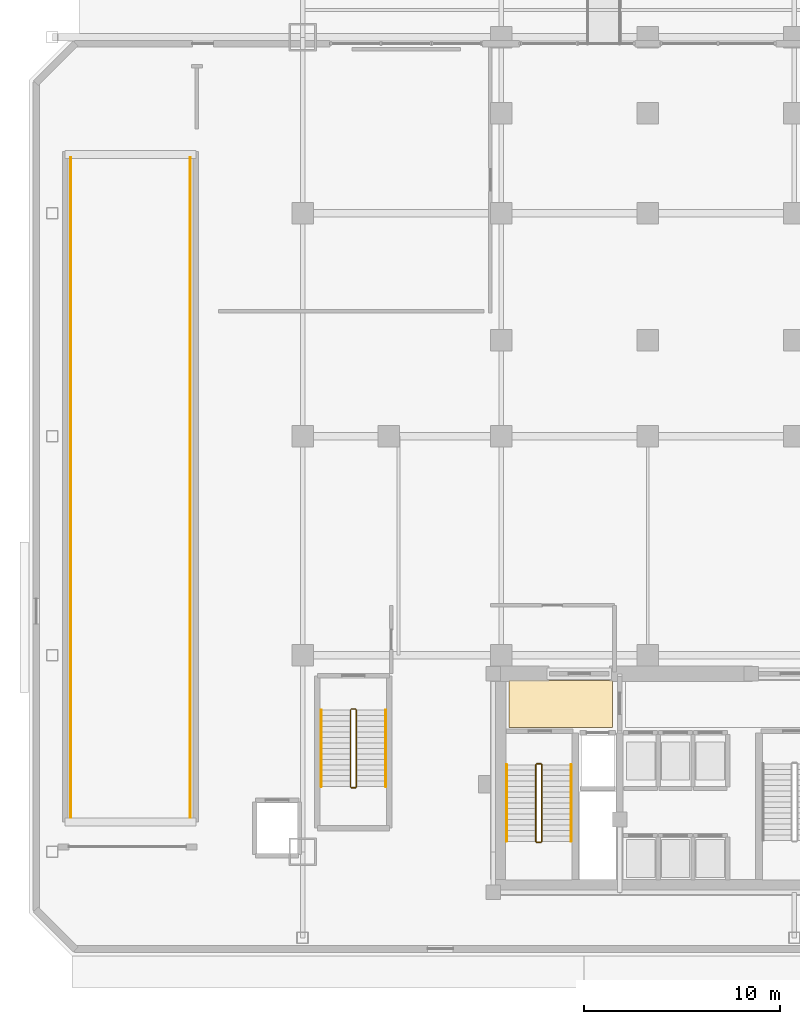
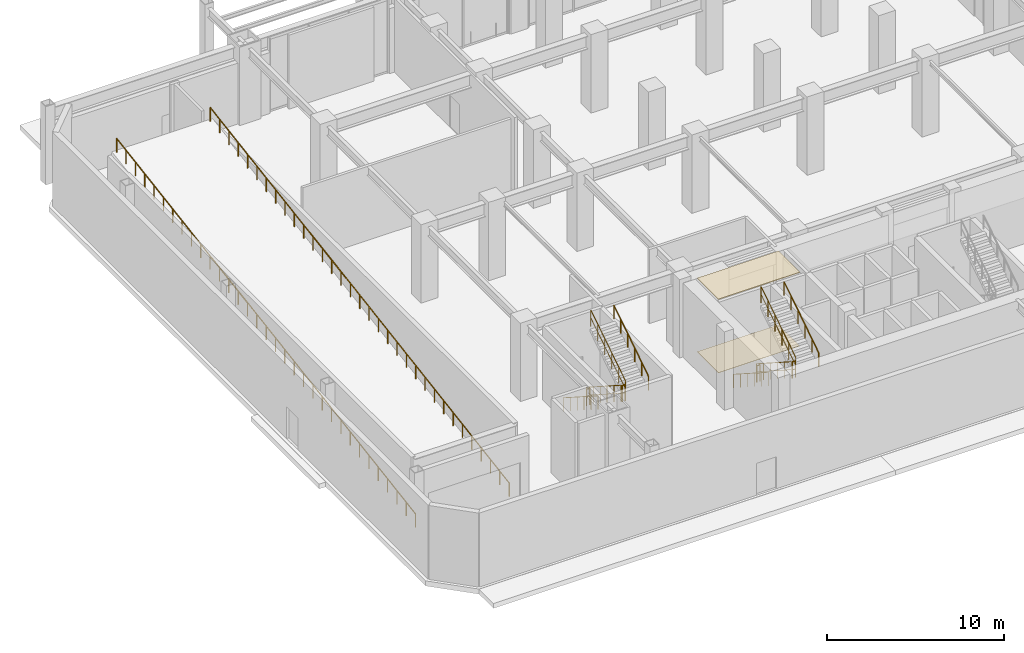
# One storey, part 20 of 23: 14 railings, 2 coverings.
"""IFC4 building model written with IfcOpenShell, lengths in metres."""

from ifc_helpers import new_model, si_unit, direction, frame, origin, origin_2d, place, context, subcontext, project, spatial, polyline, circle, outline, extrude, material, layer, layer_set, type_object, element, save


model = new_model("IFC4")

# Units and contexts
model_context = context("Model", 3, precision=1e-05, world=origin(), true_north=direction((0.0, 1.0)))
body_context = subcontext(model_context, "Body", "Model", "MODEL_VIEW")
ifc_project = project(units=[si_unit("LENGTHUNIT", "METRE"), si_unit("AREAUNIT", "SQUARE_METRE"), si_unit("VOLUMEUNIT", "CUBIC_METRE"), si_unit("PLANEANGLEUNIT", "RADIAN"), si_unit("MASSUNIT", "GRAM", prefix="KILO")], contexts=[model_context])

# Site, building, storey
site_placement = place(None, origin())
site = spatial("IfcSite", under=ifc_project, at=site_placement, CompositionType="ELEMENT")
building_placement = place(site_placement, origin())
building = spatial("IfcBuilding", under=site, at=building_placement, Name="Ventersveld Concourse Tower", CompositionType="ELEMENT")
storey_placement = place(building_placement, origin())
storey = spatial("IfcBuildingStorey", under=building, at=storey_placement, Name="L00", CompositionType="ELEMENT", Elevation=0.0)

# Coverings
ifc_material_1 = material(Name="Mineral-fibre acoustic ceiling tile", Category="gypsum")
ifc_layer_1 = layer(ifc_material_1, 0.0400390625)
ifc_layer_set_1 = layer_set([ifc_layer_1], Name="Mineral-fibre acoustic ceiling tile")
covering_type_1 = type_object("IfcCoveringType", Name="COV-CEIL-ACOUSTIC", PredefinedType="CEILING", material=ifc_layer_set_1)
covering_1_placement = place(storey_placement, frame((0.0, 0.0, 5.06005859375)))
element("IfcCovering", 1, at=covering_1_placement, inside=storey, type_object=covering_type_1, Name="L00 West Firefighting Lobby Acoustic Ceiling", PredefinedType="CEILING", context=body_context, shape_type="SweptSolid", body=[
    extrude(outline(polyline([(14.14990234375, 8.699951171875), (19.449951171875, 8.699951171875), (19.449951171875, 11.10009765625), (14.14990234375, 11.10009765625), (14.14990234375, 8.699951171875)])), origin(), (0.0, 0.0, 1.0), 0.0400390625),
])
ifc_material_2 = material(Name="Polished Highveld granite terrazzo", Category="masonry")
ifc_layer_2 = layer(ifc_material_2, 0.02001953125)
ifc_layer_set_2 = layer_set([ifc_layer_2], Name="Polished Highveld granite terrazzo")
covering_type_2 = type_object("IfcCoveringType", Name="COV-FLOOR-TERRAZZO", PredefinedType="FLOORING", material=ifc_layer_set_2)
covering_2_placement = place(storey_placement, origin())
element("IfcCovering", 2, at=covering_2_placement, inside=storey, type_object=covering_type_2, Name="L00 West Firefighting Lobby Terrazzo Flooring", PredefinedType="FLOORING", context=body_context, shape_type="SweptSolid", body=[
    extrude(outline(polyline([(14.14990234375, 8.699951171875), (19.449951171875, 8.699951171875), (19.449951171875, 11.10009765625), (14.14990234375, 11.10009765625), (14.14990234375, 8.699951171875)])), origin(), (0.0, 0.0, 1.0), 0.02001953125),
])

# Railings
ifc_material_3 = material(Name="Brushed stainless steel 316", Category="steel")
railing_type_1 = type_object("IfcRailingType", Name="GD-BAL-115", PredefinedType="GUARDRAIL", material=ifc_material_3)
railing_1_placement = place(storey_placement, frame((15.530029296875, 6.800048828125, 0.179931640625)))
element("IfcRailing", 3, at=railing_1_placement, inside=storey, type_object=railing_type_1, Name="L00 ST-01 stair guard 1", PredefinedType="GUARDRAIL", context=body_context, shape_type="SweptSolid", body=[
    extrude(circle(Radius=0.02392578125, at=origin_2d()), frame((0.0, 0.0, 1.1259765625), z_axis=(0.0, -0.841186985886, 0.540744352514), x_axis=(1.0, 0.0, 0.0)), (0.0, 0.0, 1.0), 4.660400390625),
    extrude(circle(Radius=0.01611328125, at=origin_2d()), frame((0.0, 0.0, 0.574951171875), z_axis=(0.0, -0.841186985886, 0.540744352514), x_axis=(1.0, 0.0, 0.0)), (0.0, 0.0, 1.0), 4.660400390625),
    extrude(circle(Radius=0.02099609375, at=origin_2d()), origin(), (0.0, 0.0, 1.0), 1.101806640625),
    extrude(circle(Radius=0.02099609375, at=origin_2d()), frame((0.0, -0.783935546875, 0.50390625)), (0.0, 0.0, 1.0), 1.101806640625),
    extrude(circle(Radius=0.02099609375, at=origin_2d()), frame((0.0, -1.568115234375, 1.008056640625)), (0.0, 0.0, 1.0), 1.101806640625),
    extrude(circle(Radius=0.02099609375, at=origin_2d()), frame((0.0, -2.35205078125, 1.511962890625)), (0.0, 0.0, 1.0), 1.101806640625),
    extrude(circle(Radius=0.02099609375, at=origin_2d()), frame((0.0, -3.13623046875, 2.01611328125)), (0.0, 0.0, 1.0), 1.101806640625),
    extrude(circle(Radius=0.02099609375, at=origin_2d()), frame((0.0, -3.920166015625, 2.52001953125)), (0.0, 0.0, 1.0), 1.101806640625),
])
railing_2_placement = place(storey_placement, frame((15.580078125, 2.830078125, 2.699951171875)))
element("IfcRailing", 4, at=railing_2_placement, inside=storey, type_object=railing_type_1, Name="L00 ST-01 stair guard 2", PredefinedType="GUARDRAIL", context=body_context, shape_type="SweptSolid", body=[
    extrude(circle(Radius=0.02392578125, at=origin_2d()), frame((0.0, 0.0, 1.1259765625), z_axis=(1.0, 0.0, 0.0), x_axis=(0.0, 1.0, 0.0)), (0.0, 0.0, 1.0), 0.199951171875),
    extrude(circle(Radius=0.01611328125, at=origin_2d()), frame((0.0, 0.0, 0.574951171875), z_axis=(1.0, 0.0, 0.0), x_axis=(0.0, 1.0, 0.0)), (0.0, 0.0, 1.0), 0.199951171875),
    extrude(circle(Radius=0.02099609375, at=origin_2d()), origin(), (0.0, 0.0, 1.0), 1.101806640625),
    extrude(circle(Radius=0.02099609375, at=origin_2d()), frame((0.199951171875, 0.0, 0.0)), (0.0, 0.0, 1.0), 1.101806640625),
])
railing_3_placement = place(storey_placement, frame((15.830078125, 2.8798828125, 2.8798828125)))
element("IfcRailing", 5, at=railing_3_placement, inside=storey, type_object=railing_type_1, Name="L00 ST-01 stair guard 3", PredefinedType="GUARDRAIL", context=body_context, shape_type="SweptSolid", body=[
    extrude(circle(Radius=0.02392578125, at=origin_2d()), frame((0.0, 0.0, 1.1259765625), z_axis=(0.0, 0.841186985886, 0.540744352514), x_axis=(-1.0, 0.0, 0.0)), (0.0, 0.0, 1.0), 4.660400390625),
    extrude(circle(Radius=0.01611328125, at=origin_2d()), frame((0.0, 0.0, 0.574951171875), z_axis=(0.0, 0.841186985886, 0.540744352514), x_axis=(-1.0, 0.0, 0.0)), (0.0, 0.0, 1.0), 4.660400390625),
    extrude(circle(Radius=0.02099609375, at=origin_2d()), origin(), (0.0, 0.0, 1.0), 1.101806640625),
    extrude(circle(Radius=0.02099609375, at=origin_2d()), frame((0.0, 0.783935546875, 0.50390625)), (0.0, 0.0, 1.0), 1.101806640625),
    extrude(circle(Radius=0.02099609375, at=origin_2d()), frame((0.0, 1.568115234375, 1.008056640625)), (0.0, 0.0, 1.0), 1.101806640625),
    extrude(circle(Radius=0.02099609375, at=origin_2d()), frame((0.0, 2.35205078125, 1.511962890625)), (0.0, 0.0, 1.0), 1.101806640625),
    extrude(circle(Radius=0.02099609375, at=origin_2d()), frame((0.0, 3.13623046875, 2.01611328125)), (0.0, 0.0, 1.0), 1.101806640625),
    extrude(circle(Radius=0.02099609375, at=origin_2d()), frame((0.0, 3.920166015625, 2.52001953125)), (0.0, 0.0, 1.0), 1.101806640625),
])
railing_4_placement = place(storey_placement, frame((15.580078125, 6.85009765625, 0.0)))
element("IfcRailing", 6, at=railing_4_placement, inside=storey, type_object=railing_type_1, Name="L00 ST-01 stair guard 4", PredefinedType="GUARDRAIL", context=body_context, shape_type="SweptSolid", body=[
    extrude(circle(Radius=0.02392578125, at=origin_2d()), frame((0.0, 0.0, 1.1259765625), z_axis=(1.0, 0.0, 0.0), x_axis=(0.0, 1.0, 0.0)), (0.0, 0.0, 1.0), 0.199951171875),
    extrude(circle(Radius=0.01611328125, at=origin_2d()), frame((0.0, 0.0, 0.574951171875), z_axis=(1.0, 0.0, 0.0), x_axis=(0.0, 1.0, 0.0)), (0.0, 0.0, 1.0), 0.199951171875),
    extrude(circle(Radius=0.02099609375, at=origin_2d()), origin(), (0.0, 0.0, 1.0), 1.101806640625),
    extrude(circle(Radius=0.02099609375, at=origin_2d()), frame((0.199951171875, 0.0, 0.0)), (0.0, 0.0, 1.0), 1.101806640625),
])
railing_5_placement = place(storey_placement, frame((6.050048828125, 9.60009765625, 0.179931640625)))
element("IfcRailing", 7, at=railing_5_placement, inside=storey, type_object=railing_type_1, Name="L00 ST-04 stair guard 1", PredefinedType="GUARDRAIL", context=body_context, shape_type="SweptSolid", body=[
    extrude(circle(Radius=0.02392578125, at=origin_2d()), frame((0.0, 0.0, 1.1259765625), z_axis=(0.0, -0.841186985886, 0.540744352514), x_axis=(1.0, 0.0, 0.0)), (0.0, 0.0, 1.0), 4.660400390625),
    extrude(circle(Radius=0.01611328125, at=origin_2d()), frame((0.0, 0.0, 0.574951171875), z_axis=(0.0, -0.841186985886, 0.540744352514), x_axis=(1.0, 0.0, 0.0)), (0.0, 0.0, 1.0), 4.660400390625),
    extrude(circle(Radius=0.02099609375, at=origin_2d()), origin(), (0.0, 0.0, 1.0), 1.101806640625),
    extrude(circle(Radius=0.02099609375, at=origin_2d()), frame((0.0, -0.783935546875, 0.50390625)), (0.0, 0.0, 1.0), 1.101806640625),
    extrude(circle(Radius=0.02099609375, at=origin_2d()), frame((0.0, -1.568115234375, 1.008056640625)), (0.0, 0.0, 1.0), 1.101806640625),
    extrude(circle(Radius=0.02099609375, at=origin_2d()), frame((0.0, -2.35205078125, 1.511962890625)), (0.0, 0.0, 1.0), 1.101806640625),
    extrude(circle(Radius=0.02099609375, at=origin_2d()), frame((0.0, -3.13623046875, 2.01611328125)), (0.0, 0.0, 1.0), 1.101806640625),
    extrude(circle(Radius=0.02099609375, at=origin_2d()), frame((0.0, -3.920166015625, 2.52001953125)), (0.0, 0.0, 1.0), 1.101806640625),
])
railing_6_placement = place(storey_placement, frame((6.10009765625, 5.6298828125, 2.699951171875)))
element("IfcRailing", 8, at=railing_6_placement, inside=storey, type_object=railing_type_1, Name="L00 ST-04 stair guard 2", PredefinedType="GUARDRAIL", context=body_context, shape_type="SweptSolid", body=[
    extrude(circle(Radius=0.02392578125, at=origin_2d()), frame((0.0, 0.0, 1.1259765625), z_axis=(1.0, 0.0, 0.0), x_axis=(0.0, 1.0, 0.0)), (0.0, 0.0, 1.0), 0.199951171875),
    extrude(circle(Radius=0.01611328125, at=origin_2d()), frame((0.0, 0.0, 0.574951171875), z_axis=(1.0, 0.0, 0.0), x_axis=(0.0, 1.0, 0.0)), (0.0, 0.0, 1.0), 0.199951171875),
    extrude(circle(Radius=0.02099609375, at=origin_2d()), origin(), (0.0, 0.0, 1.0), 1.101806640625),
    extrude(circle(Radius=0.02099609375, at=origin_2d()), frame((0.199951171875, 0.0, 0.0)), (0.0, 0.0, 1.0), 1.101806640625),
])
railing_7_placement = place(storey_placement, frame((6.35009765625, 5.679931640625, 2.8798828125)))
element("IfcRailing", 9, at=railing_7_placement, inside=storey, type_object=railing_type_1, Name="L00 ST-04 stair guard 3", PredefinedType="GUARDRAIL", context=body_context, shape_type="SweptSolid", body=[
    extrude(circle(Radius=0.02392578125, at=origin_2d()), frame((0.0, 0.0, 1.1259765625), z_axis=(0.0, 0.841186985886, 0.540744352514), x_axis=(-1.0, 0.0, 0.0)), (0.0, 0.0, 1.0), 4.660400390625),
    extrude(circle(Radius=0.01611328125, at=origin_2d()), frame((0.0, 0.0, 0.574951171875), z_axis=(0.0, 0.841186985886, 0.540744352514), x_axis=(-1.0, 0.0, 0.0)), (0.0, 0.0, 1.0), 4.660400390625),
    extrude(circle(Radius=0.02099609375, at=origin_2d()), origin(), (0.0, 0.0, 1.0), 1.101806640625),
    extrude(circle(Radius=0.02099609375, at=origin_2d()), frame((0.0, 0.783935546875, 0.50390625)), (0.0, 0.0, 1.0), 1.101806640625),
    extrude(circle(Radius=0.02099609375, at=origin_2d()), frame((0.0, 1.568115234375, 1.008056640625)), (0.0, 0.0, 1.0), 1.101806640625),
    extrude(circle(Radius=0.02099609375, at=origin_2d()), frame((0.0, 2.35205078125, 1.511962890625)), (0.0, 0.0, 1.0), 1.101806640625),
    extrude(circle(Radius=0.02099609375, at=origin_2d()), frame((0.0, 3.13623046875, 2.01611328125)), (0.0, 0.0, 1.0), 1.101806640625),
    extrude(circle(Radius=0.02099609375, at=origin_2d()), frame((0.0, 3.920166015625, 2.52001953125)), (0.0, 0.0, 1.0), 1.101806640625),
])
railing_8_placement = place(storey_placement, frame((6.10009765625, 9.64990234375, 0.0)))
element("IfcRailing", 10, at=railing_8_placement, inside=storey, type_object=railing_type_1, Name="L00 ST-04 stair guard 4", PredefinedType="GUARDRAIL", context=body_context, shape_type="SweptSolid", body=[
    extrude(circle(Radius=0.02392578125, at=origin_2d()), frame((0.0, 0.0, 1.1259765625), z_axis=(1.0, 0.0, 0.0), x_axis=(0.0, 1.0, 0.0)), (0.0, 0.0, 1.0), 0.199951171875),
    extrude(circle(Radius=0.01611328125, at=origin_2d()), frame((0.0, 0.0, 0.574951171875), z_axis=(1.0, 0.0, 0.0), x_axis=(0.0, 1.0, 0.0)), (0.0, 0.0, 1.0), 0.199951171875),
    extrude(circle(Radius=0.02099609375, at=origin_2d()), origin(), (0.0, 0.0, 1.0), 1.101806640625),
    extrude(circle(Radius=0.02099609375, at=origin_2d()), frame((0.199951171875, 0.0, 0.0)), (0.0, 0.0, 1.0), 1.101806640625),
])
railing_type_2 = type_object("IfcRailingType", Name="HR-RMP-095", PredefinedType="HANDRAIL", material=ifc_material_3)
railing_9_placement = place(storey_placement, frame((14.030029296875, 6.800048828125, 0.179931640625)))
element("IfcRailing", 11, at=railing_9_placement, inside=storey, type_object=railing_type_2, Name="L00 ST-01 stair handrail 1", PredefinedType="HANDRAIL", context=body_context, shape_type="SweptSolid", body=[
    extrude(circle(Radius=0.02392578125, at=origin_2d()), frame((0.0, 0.0, 0.92578125), z_axis=(0.0, -0.841186985886, 0.540744352514), x_axis=(1.0, 0.0, 0.0)), (0.0, 0.0, 1.0), 4.660400390625),
    extrude(circle(Radius=0.02099609375, at=origin_2d()), origin(), (0.0, 0.0, 1.0), 0.90185546875),
    extrude(circle(Radius=0.02099609375, at=origin_2d()), frame((0.0, -0.783935546875, 0.50390625)), (0.0, 0.0, 1.0), 0.90185546875),
    extrude(circle(Radius=0.02099609375, at=origin_2d()), frame((0.0, -1.568115234375, 1.008056640625)), (0.0, 0.0, 1.0), 0.90185546875),
    extrude(circle(Radius=0.02099609375, at=origin_2d()), frame((0.0, -2.35205078125, 1.511962890625)), (0.0, 0.0, 1.0), 0.90185546875),
    extrude(circle(Radius=0.02099609375, at=origin_2d()), frame((0.0, -3.13623046875, 2.01611328125)), (0.0, 0.0, 1.0), 0.90185546875),
    extrude(circle(Radius=0.02099609375, at=origin_2d()), frame((0.0, -3.920166015625, 2.52001953125)), (0.0, 0.0, 1.0), 0.90185546875),
])
railing_10_placement = place(storey_placement, frame((17.330078125, 2.8798828125, 2.8798828125)))
element("IfcRailing", 12, at=railing_10_placement, inside=storey, type_object=railing_type_2, Name="L00 ST-01 stair handrail 2", PredefinedType="HANDRAIL", context=body_context, shape_type="SweptSolid", body=[
    extrude(circle(Radius=0.02392578125, at=origin_2d()), frame((0.0, 0.0, 0.92578125), z_axis=(0.0, 0.841186985886, 0.540744352514), x_axis=(-1.0, 0.0, 0.0)), (0.0, 0.0, 1.0), 4.660400390625),
    extrude(circle(Radius=0.02099609375, at=origin_2d()), origin(), (0.0, 0.0, 1.0), 0.90185546875),
    extrude(circle(Radius=0.02099609375, at=origin_2d()), frame((0.0, 0.783935546875, 0.50390625)), (0.0, 0.0, 1.0), 0.90185546875),
    extrude(circle(Radius=0.02099609375, at=origin_2d()), frame((0.0, 1.568115234375, 1.008056640625)), (0.0, 0.0, 1.0), 0.90185546875),
    extrude(circle(Radius=0.02099609375, at=origin_2d()), frame((0.0, 2.35205078125, 1.511962890625)), (0.0, 0.0, 1.0), 0.90185546875),
    extrude(circle(Radius=0.02099609375, at=origin_2d()), frame((0.0, 3.13623046875, 2.01611328125)), (0.0, 0.0, 1.0), 0.90185546875),
    extrude(circle(Radius=0.02099609375, at=origin_2d()), frame((0.0, 3.920166015625, 2.52001953125)), (0.0, 0.0, 1.0), 0.90185546875),
])
railing_11_placement = place(storey_placement, frame((4.550048828125, 9.60009765625, 0.179931640625)))
element("IfcRailing", 13, at=railing_11_placement, inside=storey, type_object=railing_type_2, Name="L00 ST-04 stair handrail 1", PredefinedType="HANDRAIL", context=body_context, shape_type="SweptSolid", body=[
    extrude(circle(Radius=0.02392578125, at=origin_2d()), frame((0.0, 0.0, 0.92578125), z_axis=(0.0, -0.841186985886, 0.540744352514), x_axis=(1.0, 0.0, 0.0)), (0.0, 0.0, 1.0), 4.660400390625),
    extrude(circle(Radius=0.02099609375, at=origin_2d()), origin(), (0.0, 0.0, 1.0), 0.90185546875),
    extrude(circle(Radius=0.02099609375, at=origin_2d()), frame((0.0, -0.783935546875, 0.50390625)), (0.0, 0.0, 1.0), 0.90185546875),
    extrude(circle(Radius=0.02099609375, at=origin_2d()), frame((0.0, -1.568115234375, 1.008056640625)), (0.0, 0.0, 1.0), 0.90185546875),
    extrude(circle(Radius=0.02099609375, at=origin_2d()), frame((0.0, -2.35205078125, 1.511962890625)), (0.0, 0.0, 1.0), 0.90185546875),
    extrude(circle(Radius=0.02099609375, at=origin_2d()), frame((0.0, -3.13623046875, 2.01611328125)), (0.0, 0.0, 1.0), 0.90185546875),
    extrude(circle(Radius=0.02099609375, at=origin_2d()), frame((0.0, -3.920166015625, 2.52001953125)), (0.0, 0.0, 1.0), 0.90185546875),
])
railing_12_placement = place(storey_placement, frame((7.85009765625, 5.679931640625, 2.8798828125)))
element("IfcRailing", 14, at=railing_12_placement, inside=storey, type_object=railing_type_2, Name="L00 ST-04 stair handrail 2", PredefinedType="HANDRAIL", context=body_context, shape_type="SweptSolid", body=[
    extrude(circle(Radius=0.02392578125, at=origin_2d()), frame((0.0, 0.0, 0.92578125), z_axis=(0.0, 0.841186985886, 0.540744352514), x_axis=(-1.0, 0.0, 0.0)), (0.0, 0.0, 1.0), 4.660400390625),
    extrude(circle(Radius=0.02099609375, at=origin_2d()), origin(), (0.0, 0.0, 1.0), 0.90185546875),
    extrude(circle(Radius=0.02099609375, at=origin_2d()), frame((0.0, 0.783935546875, 0.50390625)), (0.0, 0.0, 1.0), 0.90185546875),
    extrude(circle(Radius=0.02099609375, at=origin_2d()), frame((0.0, 1.568115234375, 1.008056640625)), (0.0, 0.0, 1.0), 0.90185546875),
    extrude(circle(Radius=0.02099609375, at=origin_2d()), frame((0.0, 2.35205078125, 1.511962890625)), (0.0, 0.0, 1.0), 0.90185546875),
    extrude(circle(Radius=0.02099609375, at=origin_2d()), frame((0.0, 3.13623046875, 2.01611328125)), (0.0, 0.0, 1.0), 0.90185546875),
    extrude(circle(Radius=0.02099609375, at=origin_2d()), frame((0.0, 3.920166015625, 2.52001953125)), (0.0, 0.0, 1.0), 0.90185546875),
])
railing_13_placement = place(storey_placement, frame((-8.25, 4.10009765625, 0.0)))
element("IfcRailing", 15, at=railing_13_placement, inside=storey, type_object=railing_type_2, Name="L00 Vehicular Ramp Handrail W", PredefinedType="HANDRAIL", context=body_context, shape_type="SweptSolid", body=[
    extrude(circle(Radius=0.02392578125, at=origin_2d()), frame((0.0, 0.0, 0.92578125), z_axis=(0.0, 0.987441077651, 0.157987715245), x_axis=(-1.0, 0.0, 0.0)), (0.0, 0.0, 1.0), 34.17919921875),
    extrude(circle(Radius=0.02099609375, at=origin_2d()), origin(), (0.0, 0.0, 1.0), 0.90185546875),
    extrude(circle(Radius=0.02099609375, at=origin_2d()), frame((0.0, 1.0546875, 0.168701171875)), (0.0, 0.0, 1.0), 0.90185546875),
    extrude(circle(Radius=0.02099609375, at=origin_2d()), frame((0.0, 2.109375, 0.33740234375)), (0.0, 0.0, 1.0), 0.90185546875),
    extrude(circle(Radius=0.02099609375, at=origin_2d()), frame((0.0, 3.1640625, 0.50634765625)), (0.0, 0.0, 1.0), 0.90185546875),
    extrude(circle(Radius=0.02099609375, at=origin_2d()), frame((0.0, 4.21875, 0.675048828125)), (0.0, 0.0, 1.0), 0.90185546875),
    extrude(circle(Radius=0.02099609375, at=origin_2d()), frame((0.0, 5.2734375, 0.84375)), (0.0, 0.0, 1.0), 0.90185546875),
    extrude(circle(Radius=0.02099609375, at=origin_2d()), frame((0.0, 6.328125, 1.012451171875)), (0.0, 0.0, 1.0), 0.90185546875),
    extrude(circle(Radius=0.02099609375, at=origin_2d()), frame((0.0, 7.3828125, 1.18115234375)), (0.0, 0.0, 1.0), 0.90185546875),
    extrude(circle(Radius=0.02099609375, at=origin_2d()), frame((0.0, 8.4375, 1.35009765625)), (0.0, 0.0, 1.0), 0.90185546875),
    extrude(circle(Radius=0.02099609375, at=origin_2d()), frame((0.0, 9.4921875, 1.518798828125)), (0.0, 0.0, 1.0), 0.90185546875),
    extrude(circle(Radius=0.02099609375, at=origin_2d()), frame((0.0, 10.546875, 1.6875)), (0.0, 0.0, 1.0), 0.90185546875),
    extrude(circle(Radius=0.02099609375, at=origin_2d()), frame((0.0, 11.6015625, 1.856201171875)), (0.0, 0.0, 1.0), 0.90185546875),
    extrude(circle(Radius=0.02099609375, at=origin_2d()), frame((0.0, 12.65625, 2.02490234375)), (0.0, 0.0, 1.0), 0.90185546875),
    extrude(circle(Radius=0.02099609375, at=origin_2d()), frame((0.0, 13.7109375, 2.193603515625)), (0.0, 0.0, 1.0), 0.90185546875),
    extrude(circle(Radius=0.02099609375, at=origin_2d()), frame((0.0, 14.765625, 2.362548828125)), (0.0, 0.0, 1.0), 0.90185546875),
    extrude(circle(Radius=0.02099609375, at=origin_2d()), frame((0.0, 15.8203125, 2.53125)), (0.0, 0.0, 1.0), 0.90185546875),
    extrude(circle(Radius=0.02099609375, at=origin_2d()), frame((0.0, 16.875, 2.699951171875)), (0.0, 0.0, 1.0), 0.90185546875),
    extrude(circle(Radius=0.02099609375, at=origin_2d()), frame((0.0, 17.9296875, 2.86865234375)), (0.0, 0.0, 1.0), 0.90185546875),
    extrude(circle(Radius=0.02099609375, at=origin_2d()), frame((0.0, 18.984375, 3.037353515625)), (0.0, 0.0, 1.0), 0.90185546875),
    extrude(circle(Radius=0.02099609375, at=origin_2d()), frame((0.0, 20.0390625, 3.206298828125)), (0.0, 0.0, 1.0), 0.90185546875),
    extrude(circle(Radius=0.02099609375, at=origin_2d()), frame((0.0, 21.09375, 3.375)), (0.0, 0.0, 1.0), 0.90185546875),
    extrude(circle(Radius=0.02099609375, at=origin_2d()), frame((0.0, 22.1484375, 3.543701171875)), (0.0, 0.0, 1.0), 0.90185546875),
    extrude(circle(Radius=0.02099609375, at=origin_2d()), frame((0.0, 23.203125, 3.71240234375)), (0.0, 0.0, 1.0), 0.90185546875),
    extrude(circle(Radius=0.02099609375, at=origin_2d()), frame((0.0, 24.2578125, 3.881103515625)), (0.0, 0.0, 1.0), 0.90185546875),
    extrude(circle(Radius=0.02099609375, at=origin_2d()), frame((0.0, 25.3125, 4.0498046875)), (0.0, 0.0, 1.0), 0.90185546875),
    extrude(circle(Radius=0.02099609375, at=origin_2d()), frame((0.0, 26.3671875, 4.21875)), (0.0, 0.0, 1.0), 0.90185546875),
    extrude(circle(Radius=0.02099609375, at=origin_2d()), frame((0.0, 27.421875, 4.387451171875)), (0.0, 0.0, 1.0), 0.90185546875),
    extrude(circle(Radius=0.02099609375, at=origin_2d()), frame((0.0, 28.4765625, 4.55615234375)), (0.0, 0.0, 1.0), 0.90185546875),
    extrude(circle(Radius=0.02099609375, at=origin_2d()), frame((0.0, 29.53125, 4.724853515625)), (0.0, 0.0, 1.0), 0.90185546875),
    extrude(circle(Radius=0.02099609375, at=origin_2d()), frame((0.0, 30.5859375, 4.8935546875)), (0.0, 0.0, 1.0), 0.90185546875),
    extrude(circle(Radius=0.02099609375, at=origin_2d()), frame((0.0, 31.640625, 5.0625)), (0.0, 0.0, 1.0), 0.90185546875),
    extrude(circle(Radius=0.02099609375, at=origin_2d()), frame((0.0, 32.6953125, 5.231201171875)), (0.0, 0.0, 1.0), 0.90185546875),
    extrude(circle(Radius=0.02099609375, at=origin_2d()), frame((0.0, 33.75, 5.39990234375)), (0.0, 0.0, 1.0), 0.90185546875),
])
railing_14_placement = place(storey_placement, frame((-2.14990234375, 4.10009765625, 0.0)))
element("IfcRailing", 16, at=railing_14_placement, inside=storey, type_object=railing_type_2, Name="L00 Vehicular Ramp Handrail E", PredefinedType="HANDRAIL", context=body_context, shape_type="SweptSolid", body=[
    extrude(circle(Radius=0.02392578125, at=origin_2d()), frame((0.0, 0.0, 0.92578125), z_axis=(0.0, 0.987441077651, 0.157987715245), x_axis=(-1.0, 0.0, 0.0)), (0.0, 0.0, 1.0), 34.17919921875),
    extrude(circle(Radius=0.02099609375, at=origin_2d()), origin(), (0.0, 0.0, 1.0), 0.90185546875),
    extrude(circle(Radius=0.02099609375, at=origin_2d()), frame((0.0, 1.0546875, 0.168701171875)), (0.0, 0.0, 1.0), 0.90185546875),
    extrude(circle(Radius=0.02099609375, at=origin_2d()), frame((0.0, 2.109375, 0.33740234375)), (0.0, 0.0, 1.0), 0.90185546875),
    extrude(circle(Radius=0.02099609375, at=origin_2d()), frame((0.0, 3.1640625, 0.50634765625)), (0.0, 0.0, 1.0), 0.90185546875),
    extrude(circle(Radius=0.02099609375, at=origin_2d()), frame((0.0, 4.21875, 0.675048828125)), (0.0, 0.0, 1.0), 0.90185546875),
    extrude(circle(Radius=0.02099609375, at=origin_2d()), frame((0.0, 5.2734375, 0.84375)), (0.0, 0.0, 1.0), 0.90185546875),
    extrude(circle(Radius=0.02099609375, at=origin_2d()), frame((0.0, 6.328125, 1.012451171875)), (0.0, 0.0, 1.0), 0.90185546875),
    extrude(circle(Radius=0.02099609375, at=origin_2d()), frame((0.0, 7.3828125, 1.18115234375)), (0.0, 0.0, 1.0), 0.90185546875),
    extrude(circle(Radius=0.02099609375, at=origin_2d()), frame((0.0, 8.4375, 1.35009765625)), (0.0, 0.0, 1.0), 0.90185546875),
    extrude(circle(Radius=0.02099609375, at=origin_2d()), frame((0.0, 9.4921875, 1.518798828125)), (0.0, 0.0, 1.0), 0.90185546875),
    extrude(circle(Radius=0.02099609375, at=origin_2d()), frame((0.0, 10.546875, 1.6875)), (0.0, 0.0, 1.0), 0.90185546875),
    extrude(circle(Radius=0.02099609375, at=origin_2d()), frame((0.0, 11.6015625, 1.856201171875)), (0.0, 0.0, 1.0), 0.90185546875),
    extrude(circle(Radius=0.02099609375, at=origin_2d()), frame((0.0, 12.65625, 2.02490234375)), (0.0, 0.0, 1.0), 0.90185546875),
    extrude(circle(Radius=0.02099609375, at=origin_2d()), frame((0.0, 13.7109375, 2.193603515625)), (0.0, 0.0, 1.0), 0.90185546875),
    extrude(circle(Radius=0.02099609375, at=origin_2d()), frame((0.0, 14.765625, 2.362548828125)), (0.0, 0.0, 1.0), 0.90185546875),
    extrude(circle(Radius=0.02099609375, at=origin_2d()), frame((0.0, 15.8203125, 2.53125)), (0.0, 0.0, 1.0), 0.90185546875),
    extrude(circle(Radius=0.02099609375, at=origin_2d()), frame((0.0, 16.875, 2.699951171875)), (0.0, 0.0, 1.0), 0.90185546875),
    extrude(circle(Radius=0.02099609375, at=origin_2d()), frame((0.0, 17.9296875, 2.86865234375)), (0.0, 0.0, 1.0), 0.90185546875),
    extrude(circle(Radius=0.02099609375, at=origin_2d()), frame((0.0, 18.984375, 3.037353515625)), (0.0, 0.0, 1.0), 0.90185546875),
    extrude(circle(Radius=0.02099609375, at=origin_2d()), frame((0.0, 20.0390625, 3.206298828125)), (0.0, 0.0, 1.0), 0.90185546875),
    extrude(circle(Radius=0.02099609375, at=origin_2d()), frame((0.0, 21.09375, 3.375)), (0.0, 0.0, 1.0), 0.90185546875),
    extrude(circle(Radius=0.02099609375, at=origin_2d()), frame((0.0, 22.1484375, 3.543701171875)), (0.0, 0.0, 1.0), 0.90185546875),
    extrude(circle(Radius=0.02099609375, at=origin_2d()), frame((0.0, 23.203125, 3.71240234375)), (0.0, 0.0, 1.0), 0.90185546875),
    extrude(circle(Radius=0.02099609375, at=origin_2d()), frame((0.0, 24.2578125, 3.881103515625)), (0.0, 0.0, 1.0), 0.90185546875),
    extrude(circle(Radius=0.02099609375, at=origin_2d()), frame((0.0, 25.3125, 4.0498046875)), (0.0, 0.0, 1.0), 0.90185546875),
    extrude(circle(Radius=0.02099609375, at=origin_2d()), frame((0.0, 26.3671875, 4.21875)), (0.0, 0.0, 1.0), 0.90185546875),
    extrude(circle(Radius=0.02099609375, at=origin_2d()), frame((0.0, 27.421875, 4.387451171875)), (0.0, 0.0, 1.0), 0.90185546875),
    extrude(circle(Radius=0.02099609375, at=origin_2d()), frame((0.0, 28.4765625, 4.55615234375)), (0.0, 0.0, 1.0), 0.90185546875),
    extrude(circle(Radius=0.02099609375, at=origin_2d()), frame((0.0, 29.53125, 4.724853515625)), (0.0, 0.0, 1.0), 0.90185546875),
    extrude(circle(Radius=0.02099609375, at=origin_2d()), frame((0.0, 30.5859375, 4.8935546875)), (0.0, 0.0, 1.0), 0.90185546875),
    extrude(circle(Radius=0.02099609375, at=origin_2d()), frame((0.0, 31.640625, 5.0625)), (0.0, 0.0, 1.0), 0.90185546875),
    extrude(circle(Radius=0.02099609375, at=origin_2d()), frame((0.0, 32.6953125, 5.231201171875)), (0.0, 0.0, 1.0), 0.90185546875),
    extrude(circle(Radius=0.02099609375, at=origin_2d()), frame((0.0, 33.75, 5.39990234375)), (0.0, 0.0, 1.0), 0.90185546875),
])

save(model, "model.ifc")
